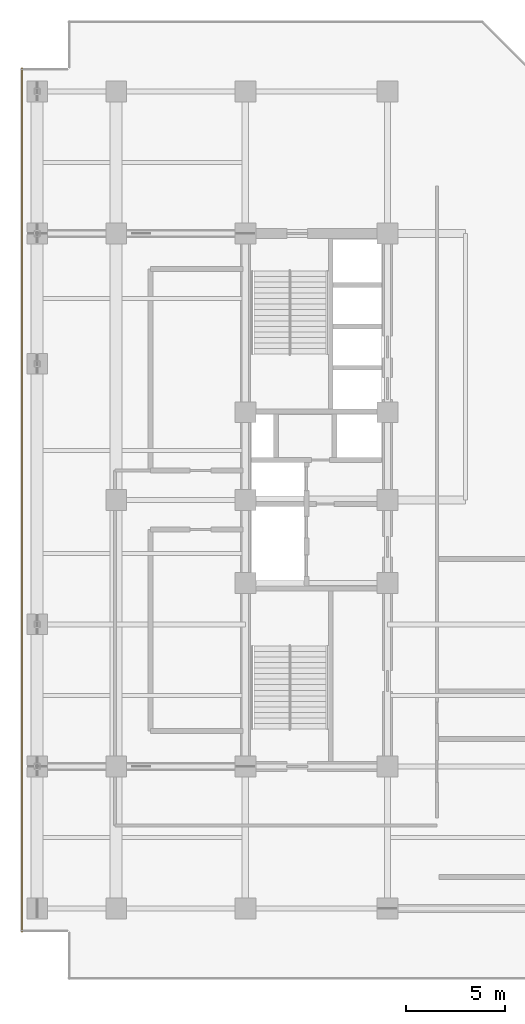
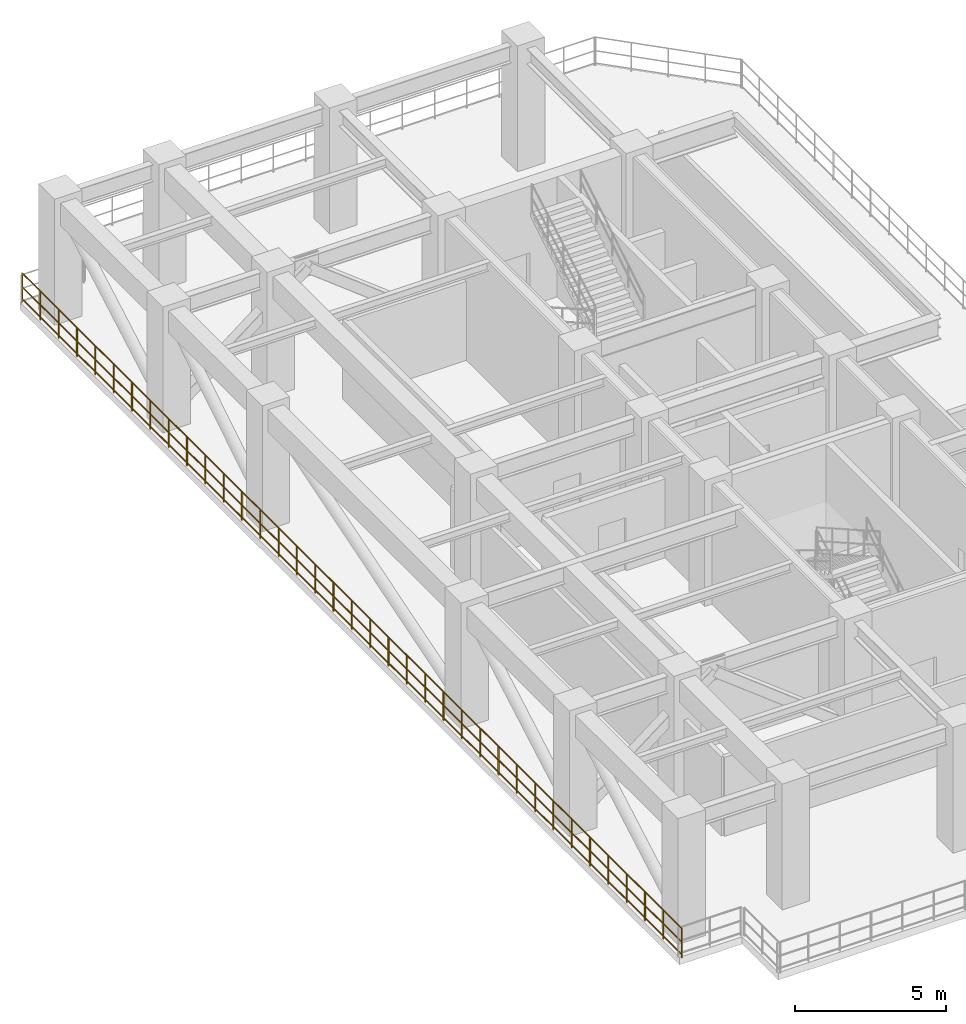
# One storey, part 11 of 16: 1 railing.
"""IFC4 building model written with IfcOpenShell, lengths in metres."""

from ifc_helpers import new_model, entity, si_unit, converted_unit, direction, frame, origin_with_axes, origin_2d_with_axis, place, context, subcontext, project, spatial, rectangle, circle, extrude, material, type_object, element, save


model = new_model("IFC4")

# Units and contexts
model_context = context("Model", 3, precision=1e-05, world=origin_with_axes(), true_north=direction((0.0, 1.0)))
body_context = subcontext(model_context, "Body", "Model", "MODEL_VIEW")
ifc_project = project(units=[si_unit("LENGTHUNIT", "METRE"), si_unit("AREAUNIT", "SQUARE_METRE"), si_unit("VOLUMEUNIT", "CUBIC_METRE"), converted_unit("PLANEANGLEUNIT", "DEGREE", entity("IfcPlaneAngleMeasure", 0.017453292519943295), si_unit("PLANEANGLEUNIT", "RADIAN"), dimensions=[0, 0, 0, 0, 0, 0, 0]), si_unit("MASSUNIT", "GRAM", prefix="KILO"), si_unit("THERMODYNAMICTEMPERATUREUNIT", "KELVIN")], contexts=[model_context])

# Site, building, storey
site_placement = place(None, origin_with_axes())
site = spatial("IfcSite", under=ifc_project, at=site_placement, CompositionType="ELEMENT")
building_placement = place(site_placement, origin_with_axes())
building = spatial("IfcBuilding", under=site, at=building_placement, Name="Varnlund Millrace Tower", CompositionType="ELEMENT")
storey_placement = place(building_placement, frame((0.0, 0.0, 187.5), z_axis=(0.0, 0.0, 1.0), x_axis=(1.0, 0.0, 0.0)))
storey = spatial("IfcBuildingStorey", under=building, at=storey_placement, Name="L46", CompositionType="ELEMENT", Elevation=187.5)

# Railing
ifc_material = material(Name="Architectural bronze balustrade guard", Category="aluminium")
railing_type = type_object("IfcRailingType", Name="Type-Guard-Perimeter-1150", PredefinedType="BALUSTRADE", material=ifc_material)
railing_placement = place(storey_placement, frame((0.0, 0.0, -187.5), z_axis=(0.0, 0.0, 1.0), x_axis=(1.0, 0.0, 0.0)))
element("IfcRailing", 1, at=railing_placement, inside=storey, type_object=railing_type, Name="Type-Guard-Perimeter-1150", PredefinedType="BALUSTRADE", context=body_context, shape_type="SweptSolid", body=[
    extrude(circle(Radius=0.024, at=origin_2d_with_axis()), frame((0.08, 46.2, 188.65), z_axis=(0.0, -1.0, 0.0), x_axis=(1.0, 0.0, 0.0)), (0.0, 0.0, 1.0), 43.8),
    extrude(circle(Radius=0.024, at=origin_2d_with_axis()), frame((0.08, 46.2, 187.6), z_axis=(0.0, -1.0, 0.0), x_axis=(1.0, 0.0, 0.0)), (0.0, 0.0, 1.0), 43.8),
    extrude(circle(Radius=0.024, at=origin_2d_with_axis()), frame((0.08, 46.2, 188.098), z_axis=(0.0, -1.0, 0.0), x_axis=(1.0, 0.0, 0.0)), (0.0, 0.0, 1.0), 43.8),
    extrude(rectangle(XDim=0.04, YDim=0.04, at=origin_2d_with_axis()), frame((0.08, 46.2, 187.46), z_axis=(0.0, 0.0, 1.0), x_axis=(1.0, 0.0, 0.0)), (0.0, 0.0, 1.0), 1.19),
    extrude(rectangle(XDim=0.04, YDim=0.04, at=origin_2d_with_axis()), frame((0.08, 44.983333, 187.46), z_axis=(0.0, 0.0, 1.0), x_axis=(1.0, 0.0, 0.0)), (0.0, 0.0, 1.0), 1.19),
    extrude(rectangle(XDim=0.04, YDim=0.04, at=origin_2d_with_axis()), frame((0.08, 43.766667, 187.46), z_axis=(0.0, 0.0, 1.0), x_axis=(1.0, 0.0, 0.0)), (0.0, 0.0, 1.0), 1.19),
    extrude(rectangle(XDim=0.04, YDim=0.04, at=origin_2d_with_axis()), frame((0.08, 42.55, 187.46), z_axis=(0.0, 0.0, 1.0), x_axis=(1.0, 0.0, 0.0)), (0.0, 0.0, 1.0), 1.19),
    extrude(rectangle(XDim=0.04, YDim=0.04, at=origin_2d_with_axis()), frame((0.08, 41.333333, 187.46), z_axis=(0.0, 0.0, 1.0), x_axis=(1.0, 0.0, 0.0)), (0.0, 0.0, 1.0), 1.19),
    extrude(rectangle(XDim=0.04, YDim=0.04, at=origin_2d_with_axis()), frame((0.08, 40.116667, 187.46), z_axis=(0.0, 0.0, 1.0), x_axis=(1.0, 0.0, 0.0)), (0.0, 0.0, 1.0), 1.19),
    extrude(rectangle(XDim=0.04, YDim=0.04, at=origin_2d_with_axis()), frame((0.08, 38.9, 187.46), z_axis=(0.0, 0.0, 1.0), x_axis=(1.0, 0.0, 0.0)), (0.0, 0.0, 1.0), 1.19),
    extrude(rectangle(XDim=0.04, YDim=0.04, at=origin_2d_with_axis()), frame((0.08, 37.683333, 187.46), z_axis=(0.0, 0.0, 1.0), x_axis=(1.0, 0.0, 0.0)), (0.0, 0.0, 1.0), 1.19),
    extrude(rectangle(XDim=0.04, YDim=0.04, at=origin_2d_with_axis()), frame((0.08, 36.466667, 187.46), z_axis=(0.0, 0.0, 1.0), x_axis=(1.0, 0.0, 0.0)), (0.0, 0.0, 1.0), 1.19),
    extrude(rectangle(XDim=0.04, YDim=0.04, at=origin_2d_with_axis()), frame((0.08, 35.25, 187.46), z_axis=(0.0, 0.0, 1.0), x_axis=(1.0, 0.0, 0.0)), (0.0, 0.0, 1.0), 1.19),
    extrude(rectangle(XDim=0.04, YDim=0.04, at=origin_2d_with_axis()), frame((0.08, 34.033333, 187.46), z_axis=(0.0, 0.0, 1.0), x_axis=(1.0, 0.0, 0.0)), (0.0, 0.0, 1.0), 1.19),
    extrude(rectangle(XDim=0.04, YDim=0.04, at=origin_2d_with_axis()), frame((0.08, 32.816667, 187.46), z_axis=(0.0, 0.0, 1.0), x_axis=(1.0, 0.0, 0.0)), (0.0, 0.0, 1.0), 1.19),
    extrude(rectangle(XDim=0.04, YDim=0.04, at=origin_2d_with_axis()), frame((0.08, 31.6, 187.46), z_axis=(0.0, 0.0, 1.0), x_axis=(1.0, 0.0, 0.0)), (0.0, 0.0, 1.0), 1.19),
    extrude(rectangle(XDim=0.04, YDim=0.04, at=origin_2d_with_axis()), frame((0.08, 30.383333, 187.46), z_axis=(0.0, 0.0, 1.0), x_axis=(1.0, 0.0, 0.0)), (0.0, 0.0, 1.0), 1.19),
    extrude(rectangle(XDim=0.04, YDim=0.04, at=origin_2d_with_axis()), frame((0.08, 29.166667, 187.46), z_axis=(0.0, 0.0, 1.0), x_axis=(1.0, 0.0, 0.0)), (0.0, 0.0, 1.0), 1.19),
    extrude(rectangle(XDim=0.04, YDim=0.04, at=origin_2d_with_axis()), frame((0.08, 27.95, 187.46), z_axis=(0.0, 0.0, 1.0), x_axis=(1.0, 0.0, 0.0)), (0.0, 0.0, 1.0), 1.19),
    extrude(rectangle(XDim=0.04, YDim=0.04, at=origin_2d_with_axis()), frame((0.08, 26.733333, 187.46), z_axis=(0.0, 0.0, 1.0), x_axis=(1.0, 0.0, 0.0)), (0.0, 0.0, 1.0), 1.19),
    extrude(rectangle(XDim=0.04, YDim=0.04, at=origin_2d_with_axis()), frame((0.08, 25.516667, 187.46), z_axis=(0.0, 0.0, 1.0), x_axis=(1.0, 0.0, 0.0)), (0.0, 0.0, 1.0), 1.19),
    extrude(rectangle(XDim=0.04, YDim=0.04, at=origin_2d_with_axis()), frame((0.08, 24.3, 187.46), z_axis=(0.0, 0.0, 1.0), x_axis=(1.0, 0.0, 0.0)), (0.0, 0.0, 1.0), 1.19),
    extrude(rectangle(XDim=0.04, YDim=0.04, at=origin_2d_with_axis()), frame((0.08, 23.083333, 187.46), z_axis=(0.0, 0.0, 1.0), x_axis=(1.0, 0.0, 0.0)), (0.0, 0.0, 1.0), 1.19),
    extrude(rectangle(XDim=0.04, YDim=0.04, at=origin_2d_with_axis()), frame((0.08, 21.866667, 187.46), z_axis=(0.0, 0.0, 1.0), x_axis=(1.0, 0.0, 0.0)), (0.0, 0.0, 1.0), 1.19),
    extrude(rectangle(XDim=0.04, YDim=0.04, at=origin_2d_with_axis()), frame((0.08, 20.65, 187.46), z_axis=(0.0, 0.0, 1.0), x_axis=(1.0, 0.0, 0.0)), (0.0, 0.0, 1.0), 1.19),
    extrude(rectangle(XDim=0.04, YDim=0.04, at=origin_2d_with_axis()), frame((0.08, 19.433333, 187.46), z_axis=(0.0, 0.0, 1.0), x_axis=(1.0, 0.0, 0.0)), (0.0, 0.0, 1.0), 1.19),
    extrude(rectangle(XDim=0.04, YDim=0.04, at=origin_2d_with_axis()), frame((0.08, 18.216667, 187.46), z_axis=(0.0, 0.0, 1.0), x_axis=(1.0, 0.0, 0.0)), (0.0, 0.0, 1.0), 1.19),
    extrude(rectangle(XDim=0.04, YDim=0.04, at=origin_2d_with_axis()), frame((0.08, 17.0, 187.46), z_axis=(0.0, 0.0, 1.0), x_axis=(1.0, 0.0, 0.0)), (0.0, 0.0, 1.0), 1.19),
    extrude(rectangle(XDim=0.04, YDim=0.04, at=origin_2d_with_axis()), frame((0.08, 15.783333, 187.46), z_axis=(0.0, 0.0, 1.0), x_axis=(1.0, 0.0, 0.0)), (0.0, 0.0, 1.0), 1.19),
    extrude(rectangle(XDim=0.04, YDim=0.04, at=origin_2d_with_axis()), frame((0.08, 14.566667, 187.46), z_axis=(0.0, 0.0, 1.0), x_axis=(1.0, 0.0, 0.0)), (0.0, 0.0, 1.0), 1.19),
    extrude(rectangle(XDim=0.04, YDim=0.04, at=origin_2d_with_axis()), frame((0.08, 13.35, 187.46), z_axis=(0.0, 0.0, 1.0), x_axis=(1.0, 0.0, 0.0)), (0.0, 0.0, 1.0), 1.19),
    extrude(rectangle(XDim=0.04, YDim=0.04, at=origin_2d_with_axis()), frame((0.08, 12.133333, 187.46), z_axis=(0.0, 0.0, 1.0), x_axis=(1.0, 0.0, 0.0)), (0.0, 0.0, 1.0), 1.19),
    extrude(rectangle(XDim=0.04, YDim=0.04, at=origin_2d_with_axis()), frame((0.08, 10.916667, 187.46), z_axis=(0.0, 0.0, 1.0), x_axis=(1.0, 0.0, 0.0)), (0.0, 0.0, 1.0), 1.19),
    extrude(rectangle(XDim=0.04, YDim=0.04, at=origin_2d_with_axis()), frame((0.08, 9.7, 187.46), z_axis=(0.0, 0.0, 1.0), x_axis=(1.0, 0.0, 0.0)), (0.0, 0.0, 1.0), 1.19),
    extrude(rectangle(XDim=0.04, YDim=0.04, at=origin_2d_with_axis()), frame((0.08, 8.483333, 187.46), z_axis=(0.0, 0.0, 1.0), x_axis=(1.0, 0.0, 0.0)), (0.0, 0.0, 1.0), 1.19),
    extrude(rectangle(XDim=0.04, YDim=0.04, at=origin_2d_with_axis()), frame((0.08, 7.266667, 187.46), z_axis=(0.0, 0.0, 1.0), x_axis=(1.0, 0.0, 0.0)), (0.0, 0.0, 1.0), 1.19),
    extrude(rectangle(XDim=0.04, YDim=0.04, at=origin_2d_with_axis()), frame((0.08, 6.05, 187.46), z_axis=(0.0, 0.0, 1.0), x_axis=(1.0, 0.0, 0.0)), (0.0, 0.0, 1.0), 1.19),
    extrude(rectangle(XDim=0.04, YDim=0.04, at=origin_2d_with_axis()), frame((0.08, 4.833333, 187.46), z_axis=(0.0, 0.0, 1.0), x_axis=(1.0, 0.0, 0.0)), (0.0, 0.0, 1.0), 1.19),
    extrude(rectangle(XDim=0.04, YDim=0.04, at=origin_2d_with_axis()), frame((0.08, 3.616667, 187.46), z_axis=(0.0, 0.0, 1.0), x_axis=(1.0, 0.0, 0.0)), (0.0, 0.0, 1.0), 1.19),
    extrude(rectangle(XDim=0.04, YDim=0.04, at=origin_2d_with_axis()), frame((0.08, 2.4, 187.46), z_axis=(0.0, 0.0, 1.0), x_axis=(1.0, 0.0, 0.0)), (0.0, 0.0, 1.0), 1.19),
])

save(model, "model.ifc")
